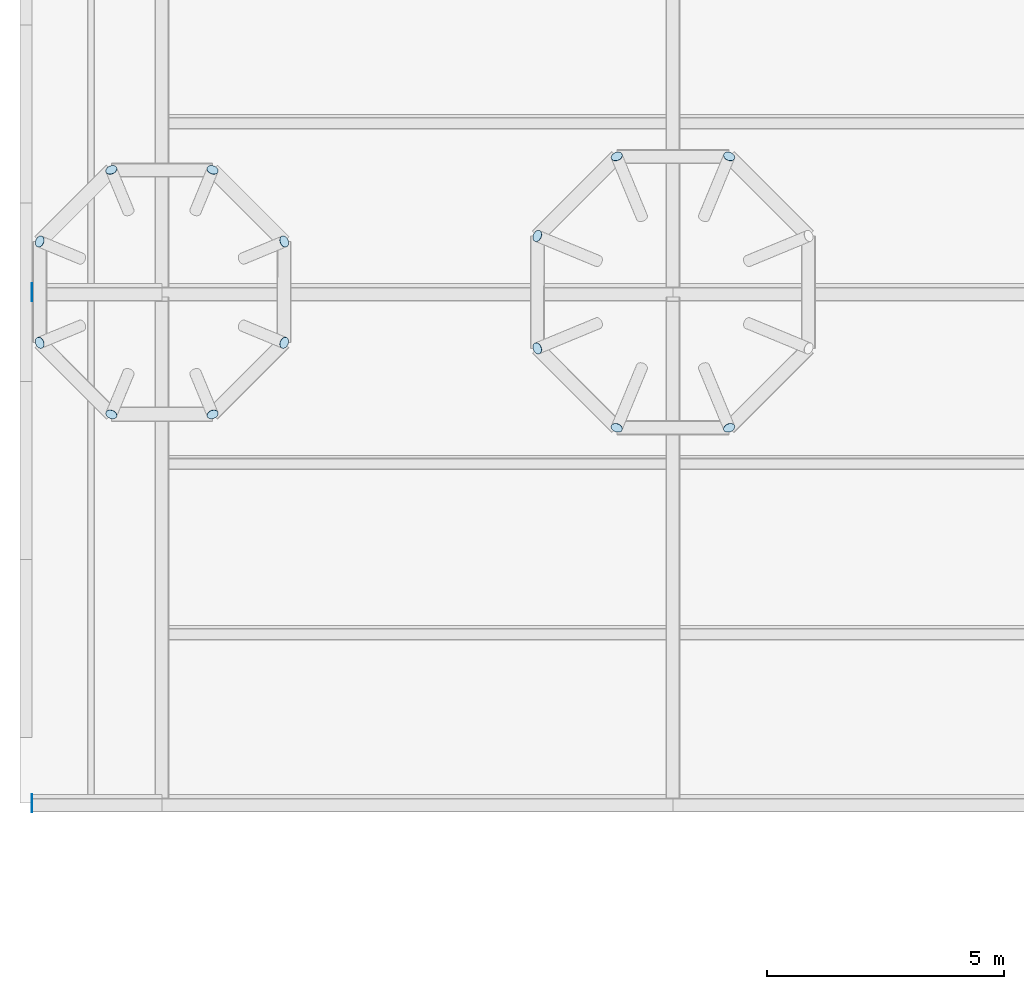
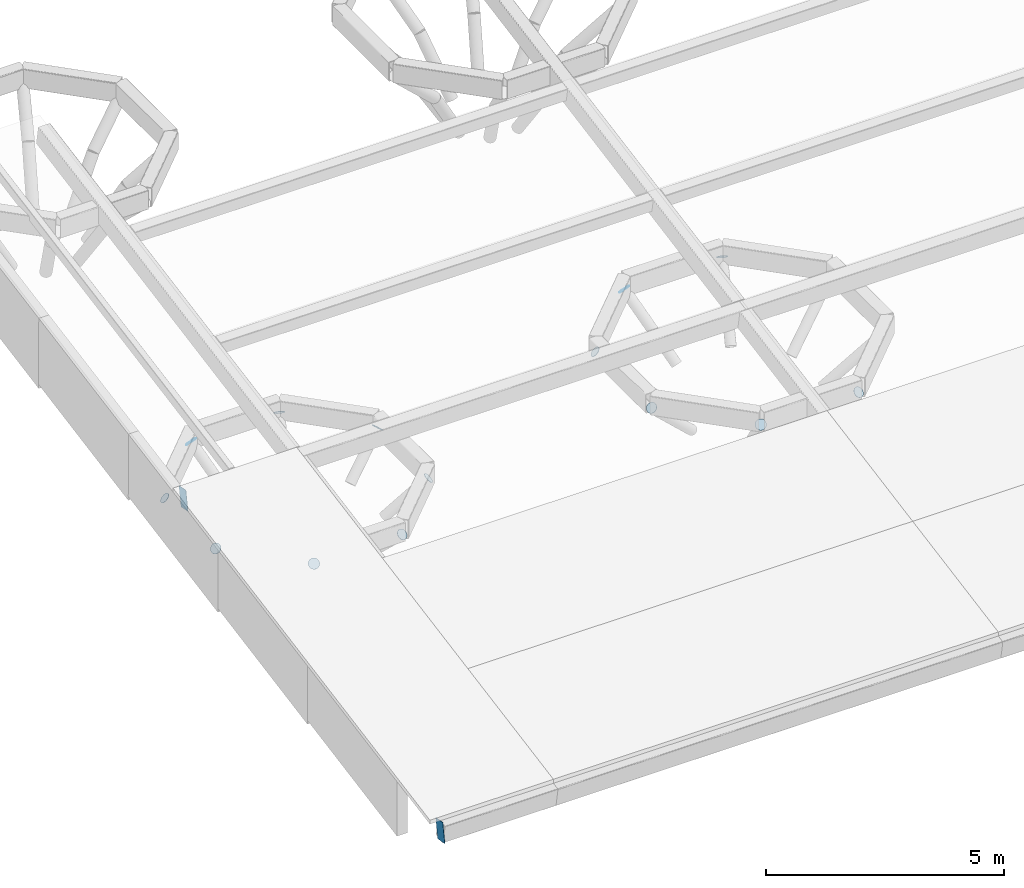
# One storey, part 20 of 42: 16 plates.
"""IFC4 building model written with IfcOpenShell, lengths in metres."""

from ifc_helpers import new_model, si_unit, direction, frame, origin, origin_2d, place, context, subcontext, project, spatial, rectangle, circle, extrude, material, material_profile, profile_set, type_object, element, save


model = new_model("IFC4")

# Units and contexts
model_context = context("Model", 3, precision=1e-05, world=origin(), true_north=direction((0.0, 1.0)))
body_context = subcontext(model_context, "Body", "Model", "MODEL_VIEW")
ifc_project = project(units=[si_unit("LENGTHUNIT", "METRE"), si_unit("AREAUNIT", "SQUARE_METRE"), si_unit("VOLUMEUNIT", "CUBIC_METRE"), si_unit("PLANEANGLEUNIT", "RADIAN"), si_unit("MASSUNIT", "GRAM", prefix="KILO")], contexts=[model_context])

# Site, building, storey
site_placement = place(None, origin())
site = spatial("IfcSite", under=ifc_project, at=site_placement, CompositionType="ELEMENT")
building_placement = place(site_placement, origin())
building = spatial("IfcBuilding", under=site, at=building_placement, Name="Magnolia Steps Interchange", CompositionType="ELEMENT")
storey_placement = place(building_placement, frame((0.0, 0.0, 12.60009765625)))
storey = spatial("IfcBuildingStorey", under=building, at=storey_placement, Name="L03", CompositionType="ELEMENT", Elevation=12.60009765625)

# Plates
ifc_material_1 = material(Name="Steel Q355B", Category="steel")
ifc_material_profile_1 = material_profile(ifc_material_1, circle(Radius=0.12255859375, at=origin_2d()), Name="End plate CHS245x12")
ifc_profile_set_1 = profile_set([ifc_material_profile_1], Name="Steel Q355B")
plate_type_1 = type_object("IfcPlateType", Name="End plate CHS245x12", PredefinedType="SHEET", material=ifc_profile_set_1)
for number, where, z_axis, x_axis, name in (
    (1, (55.780029296875, 65.068603515625, 1.349853515625), (0.664583318381, 0.275279424158, 0.694658370398), (-0.382683432789, 0.923879532336, 0.0), "End plate Tree rib"),
    (2, (54.268798828125, 66.580078125, 1.349853515625), (0.275279424158, 0.664583318381, 0.694658370398), (-0.923879532336, 0.382683432789, 0.0), "End plate Tree rib"),
    (3, (52.13134765625, 66.580078125, 1.349853515625), (-0.275279424158, 0.664583318381, 0.694658370398), (-0.923879532336, -0.382683432789, 0.0), "End plate Tree rib"),
    (4, (50.6201171875, 65.068603515625, 1.349853515625), (-0.664583318381, 0.275279424158, 0.694658370398), (-0.382683432789, -0.923879532336, 0.0), "End plate Tree rib"),
    (5, (50.6201171875, 62.931396484375, 1.349853515625), (-0.664583318381, -0.275279424158, 0.694658370398), (0.382683432789, -0.923879532336, 0.0), "End plate Tree rib"),
    (6, (52.13134765625, 61.419921875, 1.349853515625), (-0.275279424158, -0.664583318381, 0.694658370398), (0.923879532336, -0.382683432789, 0.0), "End plate Tree rib"),
    (7, (54.268798828125, 61.419921875, 1.349853515625), (0.275279424158, -0.664583318381, 0.694658370398), (0.923879532336, 0.382683432789, 0.0), "End plate Tree rib"),
    (8, (55.780029296875, 62.931396484375, 1.349853515625), (0.664583318381, -0.275279424158, 0.694658370398), (0.382683432789, 0.923879532336, 0.0), "End plate Tree rib"),
    (9, (65.186279296875, 66.864013671875, 1.349853515625), (0.275279424158, 0.664583318381, 0.694658370398), (-0.923879532336, 0.382683432789, 0.0), "End plate Tree rib"),
    (10, (62.813720703125, 66.864013671875, 1.349853515625), (-0.275279424158, 0.664583318381, 0.694658370398), (-0.923879532336, -0.382683432789, 0.0), "End plate Tree rib"),
    (11, (61.135986328125, 65.186279296875, 1.349853515625), (-0.664583318381, 0.275279424158, 0.694658370398), (-0.382683432789, -0.923879532336, 0.0), "End plate Tree rib"),
    (12, (61.135986328125, 62.813720703125, 1.349853515625), (-0.664583318381, -0.275279424158, 0.694658370398), (0.382683432789, -0.923879532336, 0.0), "End plate Tree rib"),
    (13, (62.813720703125, 61.135986328125, 1.349853515625), (-0.275279424158, -0.664583318381, 0.694658370398), (0.923879532336, -0.382683432789, 0.0), "End plate Tree rib"),
    (14, (65.186279296875, 61.135986328125, 1.349853515625), (0.275279424158, -0.664583318381, 0.694658370398), (0.923879532336, 0.382683432789, 0.0), "End plate Tree rib"),
):
    element("IfcPlate", number, at=place(storey_placement, frame(where, z_axis=z_axis, x_axis=x_axis)), inside=storey, type_object=plate_type_1, Name=name, PredefinedType="SHEET", context=body_context, shape_type="SweptSolid", body=[
        extrude(circle(Radius=0.12255859375, at=origin_2d()), origin(), (0.0, 0.0, 1.0), 0.008056640625),
    ])
ifc_material_2 = material(Name="Steel Q355B", Category="steel")
ifc_material_profile_2 = material_profile(ifc_material_2, rectangle(XDim=0.300048828125, YDim=0.5, at=origin_2d()), Name="End plate RHS500x300x16")
ifc_profile_set_2 = profile_set([ifc_material_profile_2], Name="Steel Q355B")
plate_type_2 = type_object("IfcPlateType", Name="End plate RHS500x300x16", PredefinedType="SHEET", material=ifc_profile_set_2)
for number, where, z_axis, x_axis, name in (
    (15, (50.4599609375, 53.199951171875, 0.068603515625), (-1.0, 0.0, 0.0), (0.0, -0.98367737698, 0.17994115154), "End plate Roof beam"),
    (16, (50.4599609375, 64.0, 2.044189453125), (-1.0, 0.0, 0.0), (0.0, -0.98367737698, 0.17994115154), "End plate Roof beam"),
):
    element("IfcPlate", number, at=place(storey_placement, frame(where, z_axis=z_axis, x_axis=x_axis)), inside=storey, type_object=plate_type_2, Name=name, PredefinedType="SHEET", context=body_context, shape_type="SweptSolid", body=[
        extrude(rectangle(XDim=0.300048828125, YDim=0.5, at=origin_2d()), origin(), (0.0, 0.0, 1.0), 0.008056640625),
    ])

save(model, "model.ifc")
